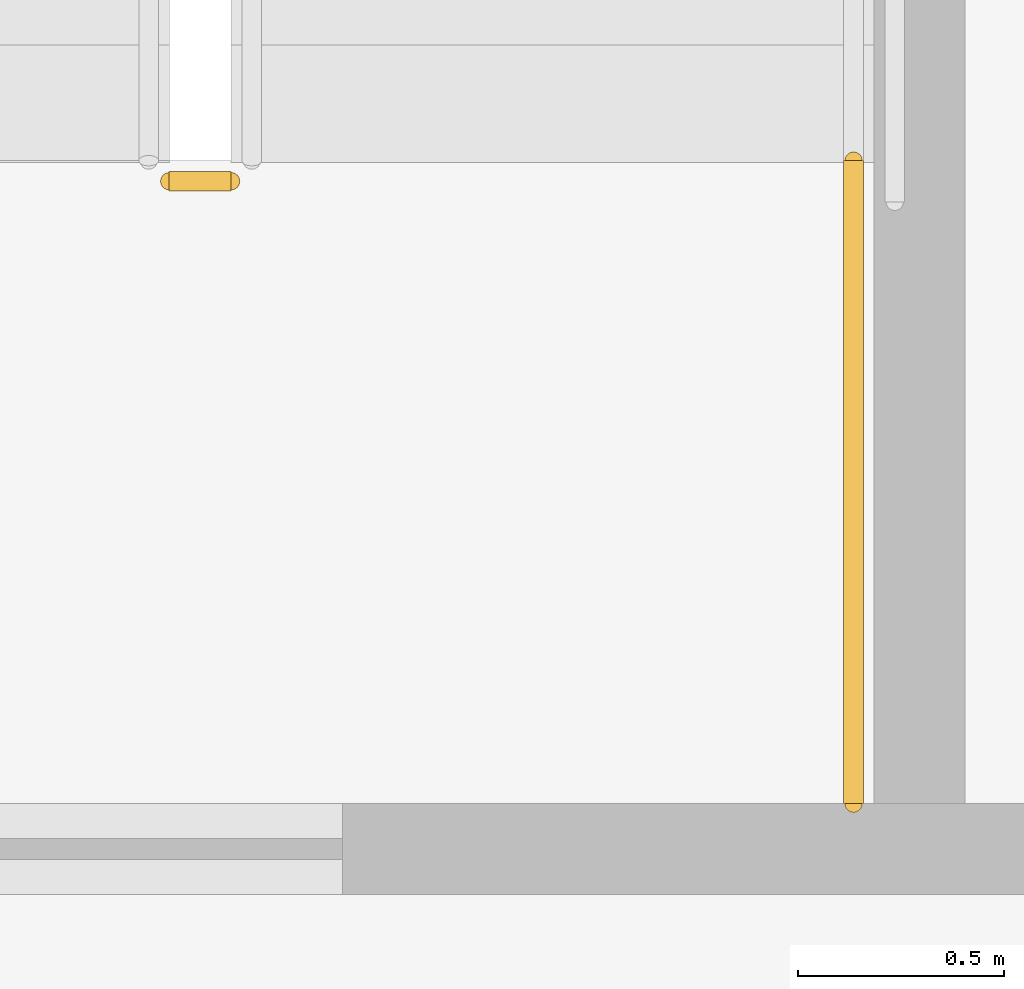
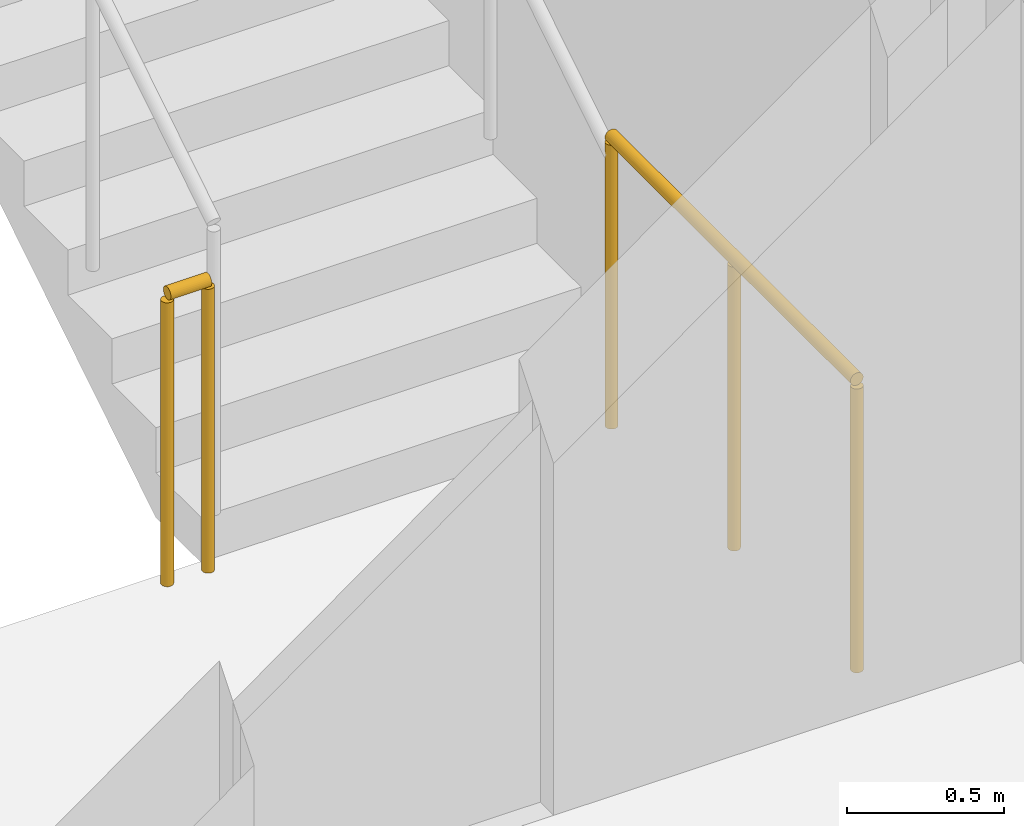
# One storey, part 12 of 15: 2 railings.
"""IFC4 building model written with IfcOpenShell, lengths in metres."""

from ifc_helpers import new_model, si_unit, direction, frame, origin, origin_2d, place, context, subcontext, project, spatial, circle, extrude, material, type_object, element, save


model = new_model("IFC4")

# Units and contexts
model_context = context("Model", 3, precision=1e-05, world=origin(), true_north=direction((0.0, 1.0)))
body_context = subcontext(model_context, "Body", "Model", "MODEL_VIEW")
ifc_project = project(units=[si_unit("LENGTHUNIT", "METRE"), si_unit("AREAUNIT", "SQUARE_METRE"), si_unit("VOLUMEUNIT", "CUBIC_METRE"), si_unit("PLANEANGLEUNIT", "RADIAN"), si_unit("MASSUNIT", "GRAM", prefix="KILO")], contexts=[model_context])

# Site, building, storey
site_placement = place(None, origin())
site = spatial("IfcSite", under=ifc_project, at=site_placement, CompositionType="ELEMENT")
building_placement = place(site_placement, origin())
building = spatial("IfcBuilding", under=site, at=building_placement, Name="Khairoan Windgate Tower", CompositionType="ELEMENT")
storey_placement = place(building_placement, frame((0.0, 0.0, 114.199951171875)))
storey = spatial("IfcBuildingStorey", under=building, at=storey_placement, Name="L26", CompositionType="ELEMENT", Elevation=114.199951171875)

# Railings
ifc_material = material(Name="Steel S355", Category="steel")
railing_type = type_object("IfcRailingType", Name="Stairwell Safety Guardrail SGR-1150", PredefinedType="GUARDRAIL", material=ifc_material)
railing_1_placement = place(storey_placement, frame((-17.7099609375, 2.909912109375, 0.0)))
element("IfcRailing", 1, at=railing_1_placement, inside=storey, type_object=railing_type, Name="L26 ST2 stair guard 7", PredefinedType="GUARDRAIL", context=body_context, shape_type="SweptSolid", body=[
    extrude(circle(Radius=0.02392578125, at=origin_2d()), frame((0.0, 0.0, 1.1259765625), z_axis=(-1.0, 0.0, 0.0), x_axis=(0.0, -1.0, 0.0)), (0.0, 0.0, 1.0), 0.150146484375),
    extrude(circle(Radius=0.02099609375, at=origin_2d()), origin(), (0.0, 0.0, 1.0), 1.101806640625),
    extrude(circle(Radius=0.02099609375, at=origin_2d()), frame((-0.150146484375, 0.0, 0.0)), (0.0, 0.0, 1.0), 1.101806640625),
])
railing_2_placement = place(storey_placement, frame((-16.199951171875, 1.39990234375, 0.0)))
element("IfcRailing", 2, at=railing_2_placement, inside=storey, type_object=railing_type, Name="L26 ST2 stair guard 8", PredefinedType="GUARDRAIL", context=body_context, shape_type="SweptSolid", body=[
    extrude(circle(Radius=0.02392578125, at=origin_2d()), frame((0.0, 0.0, 1.1259765625), z_axis=(0.0, 1.0, 0.0), x_axis=(-1.0, 0.0, 0.0)), (0.0, 0.0, 1.0), 1.56005859375),
    extrude(circle(Radius=0.02099609375, at=origin_2d()), origin(), (0.0, 0.0, 1.0), 1.101806640625),
    extrude(circle(Radius=0.02099609375, at=origin_2d()), frame((0.0, 0.780029296875, 0.0)), (0.0, 0.0, 1.0), 1.101806640625),
    extrude(circle(Radius=0.02099609375, at=origin_2d()), frame((0.0, 1.56005859375, 0.0)), (0.0, 0.0, 1.0), 1.101806640625),
])

save(model, "model.ifc")
